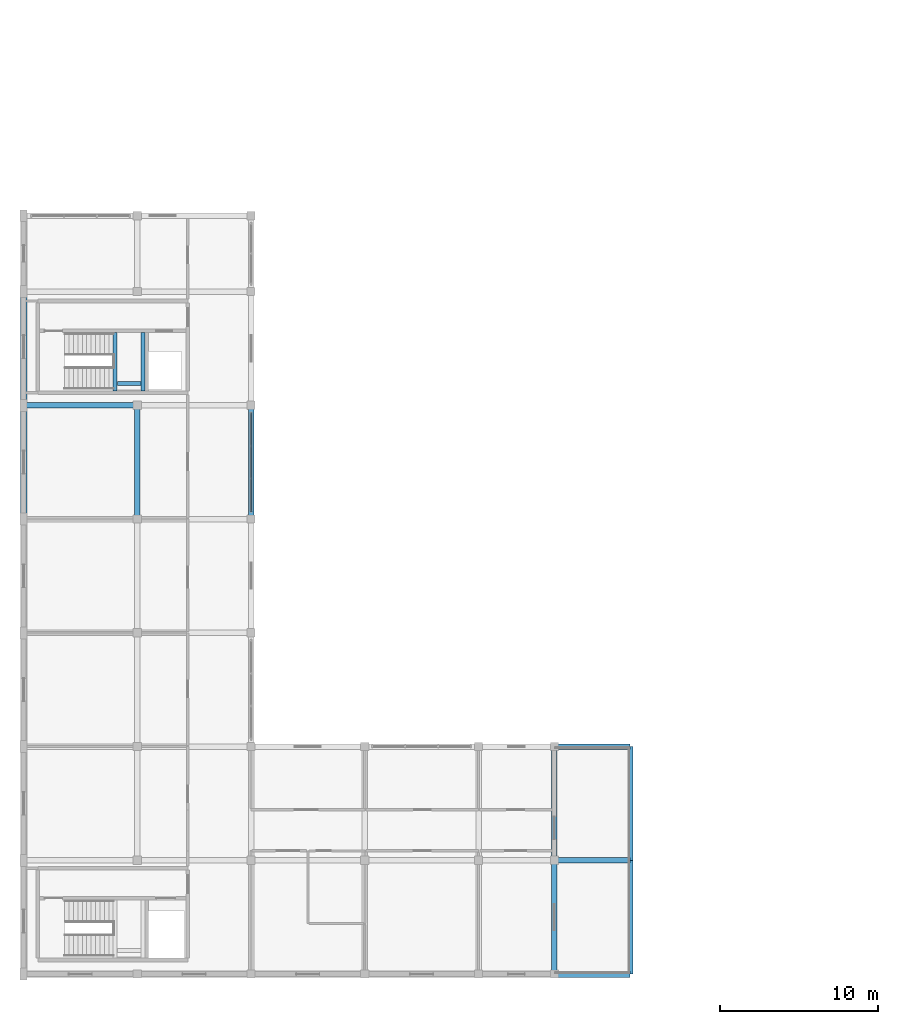
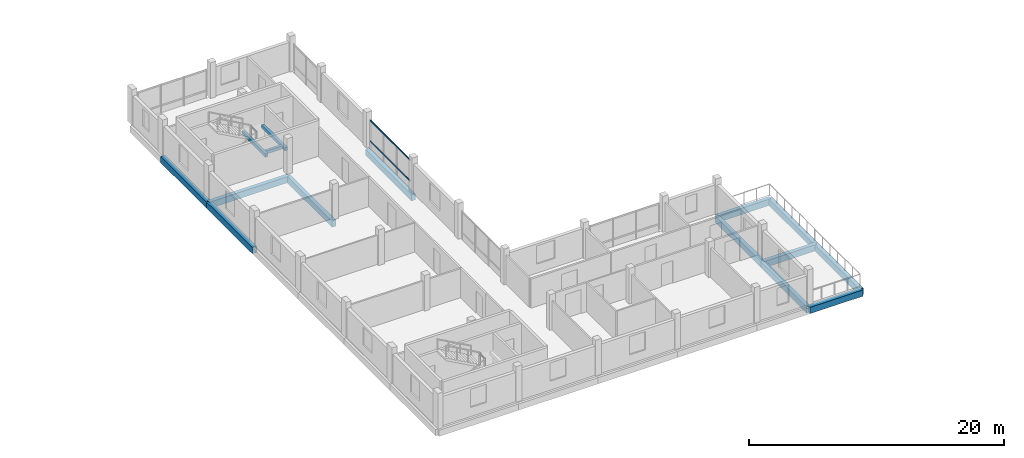
# One storey, part 11 of 26: 15 beams, 2 members, 1 element without a shape of its own.
"""IFC4 building model written with IfcOpenShell, lengths in metres."""

from ifc_helpers import new_model, si_unit, direction, frame, origin, origin_2d, place, context, subcontext, project, spatial, rectangle, hollow_rectangle, extrude, material, material_profile, profile_set, type_object, element, aggregate, save


model = new_model("IFC4")

# Units and contexts
model_context = context("Model", 3, precision=1e-05, world=origin(), true_north=direction((0.0, 1.0)))
body_context = subcontext(model_context, "Body", "Model", "MODEL_VIEW")
ifc_project = project(units=[si_unit("LENGTHUNIT", "METRE"), si_unit("AREAUNIT", "SQUARE_METRE"), si_unit("VOLUMEUNIT", "CUBIC_METRE"), si_unit("PLANEANGLEUNIT", "RADIAN"), si_unit("MASSUNIT", "GRAM", prefix="KILO")], contexts=[model_context])

# Site, building, storey
site_placement = place(None, origin())
site = spatial("IfcSite", under=ifc_project, at=site_placement, CompositionType="ELEMENT")
building_placement = place(site_placement, origin())
building = spatial("IfcBuilding", under=site, at=building_placement, Name="Zornivar Specialist Clinic", CompositionType="ELEMENT")
storey_placement = place(building_placement, frame((0.0, 0.0, 19.699951171875)))
storey = spatial("IfcBuildingStorey", under=building, at=storey_placement, Name="L05", CompositionType="ELEMENT", Elevation=19.699951171875)

# Beams
ifc_material_1 = material(Name="Concrete C30/37", Category="concrete")
ifc_material_profile_1 = material_profile(ifc_material_1, rectangle(XDim=0.25, YDim=0.300048828125, at=origin_2d()), Name="RC 250x300")
ifc_profile_set_1 = profile_set([ifc_material_profile_1], Name="Concrete C30/37")
beam_type_1 = type_object("IfcBeamType", Name="BM-LAND-250x300", PredefinedType="BEAM", material=ifc_profile_set_1)
for number, where, z_axis, x_axis, name in (
    (1, (5.800048828125, 36.919921875, 1.52001953125), (0.0, 1.0, 0.0), (-1.0, 0.0, 0.0), "bm:stair:C2:L05:lW"),
    (2, (7.56005859375, 36.919921875, 1.52001953125), (0.0, 1.0, 0.0), (-1.0, 0.0, 0.0), "bm:stair:C2:L05:lE"),
):
    element("IfcBeam", number, at=place(storey_placement, frame(where, z_axis=z_axis, x_axis=x_axis)), inside=storey, type_object=beam_type_1, Name=name, PredefinedType="BEAM", context=body_context, shape_type="SweptSolid", body=[
        extrude(rectangle(XDim=0.25, YDim=0.300048828125, at=origin_2d()), origin(), (0.0, 0.0, 1.0), 3.68017578125),
    ])
beam_1_placement = place(storey_placement, frame((5.93505859375, 37.3798828125, 1.52001953125), z_axis=(1.0, 0.0, 0.0), x_axis=(0.0, 1.0, 0.0)))
element("IfcBeam", 3, at=beam_1_placement, inside=storey, type_object=beam_type_1, Name="bm:stair:C2:L05:lS", PredefinedType="BEAM", context=body_context, shape_type="SweptSolid", body=[
    extrude(rectangle(XDim=0.25, YDim=0.300048828125, at=origin_2d()), origin(), (0.0, 0.0, 1.0), 1.489990234375),
])
ifc_material_2 = material(Name="Concrete C30/37", Category="concrete")
ifc_material_profile_2 = material_profile(ifc_material_2, rectangle(XDim=0.35009765625, YDim=0.60009765625, at=origin_2d()), Name="RC 350x600")
ifc_profile_set_2 = profile_set([ifc_material_profile_2], Name="Concrete C30/37")
beam_type_2 = type_object("IfcBeamType", Name="BM-RC-350x600", PredefinedType="BEAM", material=ifc_profile_set_2)
for number, where, z_axis, x_axis, name in (
    (4, (33.60009765625, 7.199951171875, -0.579833984375), (1.0, 0.0, 0.0), (0.0, 1.0, 0.0), "bm:V2:L05:x:72:5"),
    (5, (33.60009765625, 14.39990234375, -0.579833984375), (1.0, 0.0, 0.0), (0.0, 1.0, 0.0), "bm:V2:L05:x:144:5"),
):
    element("IfcBeam", number, at=place(storey_placement, frame(where, z_axis=z_axis, x_axis=x_axis)), inside=storey, type_object=beam_type_2, Name=name, PredefinedType="BEAM", context=body_context, shape_type="SweptSolid", body=[
        extrude(rectangle(XDim=0.35009765625, YDim=0.60009765625, at=origin_2d()), origin(), (0.0, 0.0, 1.0), 4.7998046875),
    ])
for number, where, z_axis, x_axis, name in (
    (6, (0.0, 36.0, -0.579833984375), (1.0, 0.0, 0.0), (0.0, 1.0, 0.0), "bm:V2:L05:x:360:0"),
    (7, (7.199951171875, 28.800048828125, -0.579833984375), (0.0, 1.0, 0.0), (-1.0, 0.0, 0.0), "bm:V2:L05:y:72:4"),
    (8, (14.39990234375, 28.800048828125, -0.579833984375), (0.0, 1.0, 0.0), (-1.0, 0.0, 0.0), "bm:V2:L05:y:144:4"),
    (9, (33.60009765625, 0.0, -0.579833984375), (0.0, 1.0, 0.0), (-1.0, 0.0, 0.0), "bm:V2:L05:y:336:0"),
    (10, (33.60009765625, 7.199951171875, -0.579833984375), (0.0, 1.0, 0.0), (-1.0, 0.0, 0.0), "bm:V2:L05:y:336:1"),
    (11, (38.39990234375, 0.0, -0.579833984375), (0.0, 1.0, 0.0), (-1.0, 0.0, 0.0), "bm:V2:L05:y:384:0"),
    (12, (38.39990234375, 7.199951171875, -0.579833984375), (0.0, 1.0, 0.0), (-1.0, 0.0, 0.0), "bm:V2:L05:y:384:1"),
):
    element("IfcBeam", number, at=place(storey_placement, frame(where, z_axis=z_axis, x_axis=x_axis)), inside=storey, type_object=beam_type_2, Name=name, PredefinedType="BEAM", context=body_context, shape_type="SweptSolid", body=[
        extrude(rectangle(XDim=0.35009765625, YDim=0.60009765625, at=origin_2d()), origin(), (0.0, 0.0, 1.0), 7.199951171875),
    ])
ifc_material_3 = material(Name="Concrete C30/37", Category="concrete")
ifc_material_profile_3 = material_profile(ifc_material_3, rectangle(XDim=0.409912109375, YDim=0.60009765625, at=origin_2d()), Name="RC 410x600")
ifc_profile_set_3 = profile_set([ifc_material_profile_3], Name="Concrete C30/37")
beam_type_3 = type_object("IfcBeamType", Name="BM-RC-SPANDREL-410x600", PredefinedType="SPANDREL", material=ifc_profile_set_3)
beam_2_placement = place(storey_placement, frame((33.60009765625, 0.0, -0.579833984375), z_axis=(1.0, 0.0, 0.0), x_axis=(0.0, 1.0, 0.0)))
element("IfcBeam", 13, at=beam_2_placement, inside=storey, type_object=beam_type_3, Name="bm:V2:L05:x:0:5", PredefinedType="SPANDREL", context=body_context, shape_type="SweptSolid", body=[
    extrude(rectangle(XDim=0.409912109375, YDim=0.60009765625, at=origin_2d()), origin(), (0.0, 0.0, 1.0), 4.7998046875),
])
for number, where, z_axis, x_axis, name in (
    (14, (0.0, 28.800048828125, -0.579833984375), (0.0, 1.0, 0.0), (-1.0, 0.0, 0.0), "bm:V2:L05:y:0:4"),
    (15, (0.0, 36.0, -0.579833984375), (0.0, 1.0, 0.0), (-1.0, 0.0, 0.0), "bm:V2:L05:y:0:5"),
):
    element("IfcBeam", number, at=place(storey_placement, frame(where, z_axis=z_axis, x_axis=x_axis)), inside=storey, type_object=beam_type_3, Name=name, PredefinedType="SPANDREL", context=body_context, shape_type="SweptSolid", body=[
        extrude(rectangle(XDim=0.409912109375, YDim=0.60009765625, at=origin_2d()), origin(), (0.0, 0.0, 1.0), 7.199951171875),
    ])

# Curtain wall, members
ifc_material_4 = material(Name="Aluminium and Low-E Glass Curtain Wall", Category="aluminium")
curtain_wall_type = type_object("IfcCurtainWallType", Name="CW-REVAK-COURT", PredefinedType="NOTDEFINED", material=ifc_material_4)
curtain_wall_placement = place(storey_placement, origin())
curtain_wall = element("IfcCurtainWall", 16, at=curtain_wall_placement, inside=storey, type_object=curtain_wall_type, Name="cw:V2:L05:12", PredefinedType="NOTDEFINED")
ifc_material_5 = material(Name="Aluminium AW-6060", Category="aluminium")
ifc_material_profile_4 = material_profile(ifc_material_5, hollow_rectangle(XDim=0.06005859375, YDim=0.1298828125, WallThickness=0.00390625, at=origin_2d()), Name="ALU 60x130x4")
ifc_profile_set_4 = profile_set([ifc_material_profile_4], Name="Aluminium AW-6060")
member_type = type_object("IfcMemberType", Name="CWM-TRN-130", PredefinedType="USERDEFINED", material=ifc_profile_set_4)
member_1_placement = place(storey_placement, frame((14.39990234375, 29.280029296875, 0.718017578125), z_axis=(0.0, 1.0, 0.0), x_axis=(-1.0, 0.0, 0.0)))
member_1 = element("IfcMember", 17, at=member_1_placement, type_object=member_type, Name="cw:V2:L05:12:trn:0", ObjectType="TRANSOM", PredefinedType="USERDEFINED", context=body_context, shape_type="SweptSolid", body=[
    extrude(hollow_rectangle(XDim=0.06005859375, YDim=0.1298828125, WallThickness=0.00390625, at=origin_2d()), origin(), (0.0, 0.0, 1.0), 6.239990234375),
])
member_2_placement = place(storey_placement, frame((14.39990234375, 29.280029296875, 2.695068359375), z_axis=(0.0, 1.0, 0.0), x_axis=(-1.0, 0.0, 0.0)))
member_2 = element("IfcMember", 18, at=member_2_placement, type_object=member_type, Name="cw:V2:L05:12:trn:1", ObjectType="TRANSOM", PredefinedType="USERDEFINED", context=body_context, shape_type="SweptSolid", body=[
    extrude(hollow_rectangle(XDim=0.06005859375, YDim=0.1298828125, WallThickness=0.00390625, at=origin_2d()), origin(), (0.0, 0.0, 1.0), 6.239990234375),
])
aggregate(curtain_wall, [member_1, member_2])

save(model, "model.ifc")
